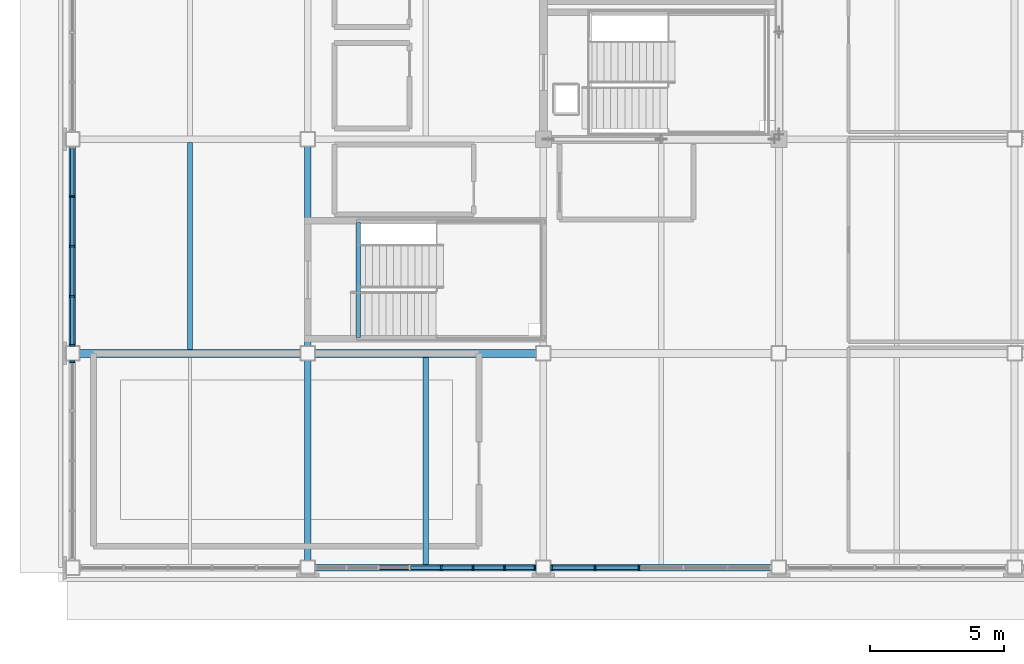
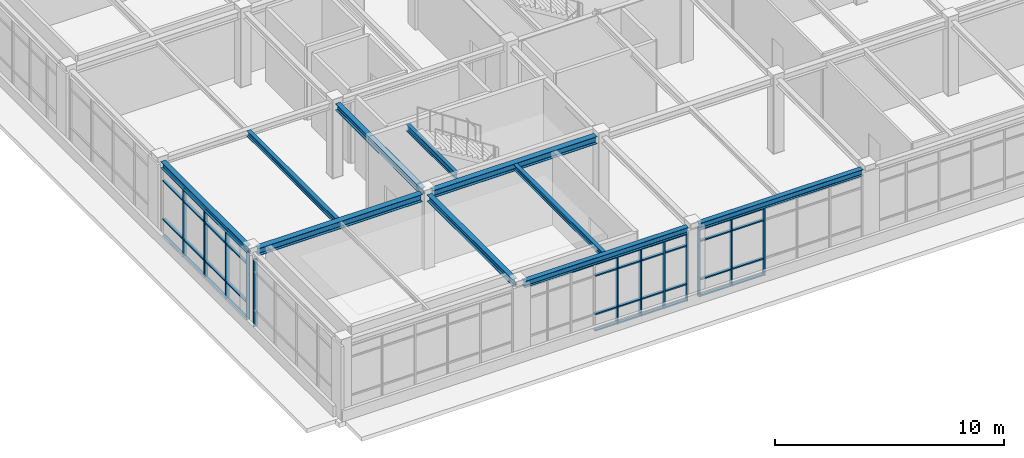
# One storey, part 7 of 64: 53 members, 10 beams, 4 elements without a shape of their own.
"""IFC4 building model written with IfcOpenShell, lengths in metres."""

from ifc_helpers import new_model, si_unit, direction, frame, origin, origin_2d, place, context, subcontext, project, spatial, rectangle, i_section, extrude, material, material_profile, profile_set, type_object, element, aggregate, save


model = new_model("IFC4")

# Units and contexts
model_context = context("Model", 3, precision=1e-05, world=origin(), true_north=direction((0.0, 1.0)))
body_context = subcontext(model_context, "Body", "Model", "MODEL_VIEW")
ifc_project = project(units=[si_unit("LENGTHUNIT", "METRE"), si_unit("AREAUNIT", "SQUARE_METRE"), si_unit("VOLUMEUNIT", "CUBIC_METRE"), si_unit("PLANEANGLEUNIT", "RADIAN"), si_unit("MASSUNIT", "GRAM", prefix="KILO")], contexts=[model_context])

# Site, building, storey
site_placement = place(None, origin())
site = spatial("IfcSite", under=ifc_project, at=site_placement, CompositionType="ELEMENT")
building_placement = place(site_placement, origin())
building = spatial("IfcBuilding", under=site, at=building_placement, Name="Zhaolan Boulevard Law Courts", CompositionType="ELEMENT")
storey_placement = place(building_placement, frame((0.0, 0.0, 20.39990234375)))
storey = spatial("IfcBuildingStorey", under=building, at=storey_placement, Name="L04", CompositionType="ELEMENT", Elevation=20.39990234375)

# Curtain wall, members
ifc_material_1 = material(Name="Thermally broken aluminium and low-E glazing", Category="aluminium")
curtain_wall_type_1 = type_object("IfcCurtainWallType", Name="CURTAIN WALL M18", PredefinedType="USERDEFINED", material=ifc_material_1)
curtain_wall_1_placement = place(storey_placement, origin())
curtain_wall_1 = element("IfcCurtainWall", 1, at=curtain_wall_1_placement, inside=storey, type_object=curtain_wall_type_1, Name="Curtain Wall CW-L04-186", ObjectType="CURTAIN WALL", PredefinedType="USERDEFINED")
ifc_material_2 = material(Name="Fluorocarbon-coated aluminium 6063-T6", Category="aluminium")
ifc_material_profile_1 = material_profile(ifc_material_2, rectangle(XDim=0.179931640625, YDim=0.06494140625, at=origin_2d()), Name="AL65x180")
ifc_profile_set_1 = profile_set([ifc_material_profile_1], Name="Fluorocarbon-coated aluminium 6063-T6")
member_type_1 = type_object("IfcMemberType", Name="CWMULLION 65X180", PredefinedType="MULLION", material=ifc_profile_set_1)
member_1_placement = place(storey_placement, frame((13.7890625, 30.0, 0.0), z_axis=(0.0, 0.0, 1.0), x_axis=(0.0, 1.0, 0.0)))
member_1 = element("IfcMember", 2, at=member_1_placement, type_object=member_type_1, Name="CW-L04-186 mullion 5", PredefinedType="MULLION", context=body_context, shape_type="SweptSolid", body=[
    extrude(rectangle(XDim=0.179931640625, YDim=0.06494140625, at=origin_2d()), origin(), (0.0, 0.0, 1.0), 3.593017578125),
])
member_2_placement = place(storey_placement, frame((14.967041015625, 30.0, 0.0), z_axis=(0.0, 0.0, 1.0), x_axis=(0.0, 1.0, 0.0)))
member_2 = element("IfcMember", 3, at=member_2_placement, type_object=member_type_1, Name="CW-L04-186 mullion 6", PredefinedType="MULLION", context=body_context, shape_type="SweptSolid", body=[
    extrude(rectangle(XDim=0.179931640625, YDim=0.06494140625, at=origin_2d()), origin(), (0.0, 0.0, 1.0), 3.593017578125),
])
member_3_placement = place(storey_placement, frame((16.14501953125, 30.0, 0.0), z_axis=(0.0, 0.0, 1.0), x_axis=(0.0, 1.0, 0.0)))
member_3 = element("IfcMember", 4, at=member_3_placement, type_object=member_type_1, Name="CW-L04-186 mullion 7", PredefinedType="MULLION", context=body_context, shape_type="SweptSolid", body=[
    extrude(rectangle(XDim=0.179931640625, YDim=0.06494140625, at=origin_2d()), origin(), (0.0, 0.0, 1.0), 3.593017578125),
])
member_4_placement = place(storey_placement, frame((17.29052734375, 30.0, 0.0), z_axis=(0.0, 0.0, 1.0), x_axis=(0.0, 1.0, 0.0)))
member_4 = element("IfcMember", 5, at=member_4_placement, type_object=member_type_1, Name="CW-L04-186 mullion 8", PredefinedType="MULLION", context=body_context, shape_type="SweptSolid", body=[
    extrude(rectangle(XDim=0.179931640625, YDim=0.06494140625, at=origin_2d()), origin(), (0.0, 0.0, 1.0), 3.593017578125),
])

ifc_material_3 = material(Name="Thermally broken aluminium and low-E glazing", Category="aluminium")
curtain_wall_type_2 = type_object("IfcCurtainWallType", Name="CURTAIN WALL M19", PredefinedType="USERDEFINED", material=ifc_material_3)
curtain_wall_2_placement = place(storey_placement, origin())
curtain_wall_2 = element("IfcCurtainWall", 6, at=curtain_wall_2_placement, inside=storey, type_object=curtain_wall_type_2, Name="Curtain Wall CW-L04-187", ObjectType="CURTAIN WALL", PredefinedType="USERDEFINED")
member_5_placement = place(storey_placement, frame((17.909423828125, 30.0, 0.0), z_axis=(0.0, 0.0, 1.0), x_axis=(0.0, 1.0, 0.0)))
member_5 = element("IfcMember", 7, at=member_5_placement, type_object=member_type_1, Name="CW-L04-187 mullion 1", PredefinedType="MULLION", context=body_context, shape_type="SweptSolid", body=[
    extrude(rectangle(XDim=0.179931640625, YDim=0.06494140625, at=origin_2d()), origin(), (0.0, 0.0, 1.0), 3.593017578125),
])
member_6_placement = place(storey_placement, frame((19.526123046875, 30.0, 0.0), z_axis=(0.0, 0.0, 1.0), x_axis=(0.0, 1.0, 0.0)))
member_6 = element("IfcMember", 8, at=member_6_placement, type_object=member_type_1, Name="CW-L04-187 mullion 2", PredefinedType="MULLION", context=body_context, shape_type="SweptSolid", body=[
    extrude(rectangle(XDim=0.179931640625, YDim=0.06494140625, at=origin_2d()), origin(), (0.0, 0.0, 1.0), 3.593017578125),
])
member_7_placement = place(storey_placement, frame((21.17529296875, 30.0, 0.0), z_axis=(0.0, 0.0, 1.0), x_axis=(0.0, 1.0, 0.0)))
member_7 = element("IfcMember", 9, at=member_7_placement, type_object=member_type_1, Name="CW-L04-187 mullion 3", PredefinedType="MULLION", context=body_context, shape_type="SweptSolid", body=[
    extrude(rectangle(XDim=0.179931640625, YDim=0.06494140625, at=origin_2d()), origin(), (0.0, 0.0, 1.0), 3.593017578125),
])

# Curtain wall, member
ifc_material_4 = material(Name="Thermally broken aluminium and low-E glazing", Category="aluminium")
curtain_wall_type_3 = type_object("IfcCurtainWallType", Name="CURTAIN WALL M22", PredefinedType="USERDEFINED", material=ifc_material_4)
curtain_wall_3_placement = place(storey_placement, origin())
curtain_wall_3 = element("IfcCurtainWall", 10, at=curtain_wall_3_placement, inside=storey, type_object=curtain_wall_type_3, Name="Curtain Wall CW-L04-190", ObjectType="CURTAIN WALL", PredefinedType="USERDEFINED")
member_8_placement = place(storey_placement, frame((0.0, 37.6904296875, 0.0), z_axis=(0.0, 0.0, 1.0), x_axis=(1.0, 0.0, 0.0)))
member_8 = element("IfcMember", 11, at=member_8_placement, type_object=member_type_1, Name="CW-L04-190 mullion 1", PredefinedType="MULLION", context=body_context, shape_type="SweptSolid", body=[
    extrude(rectangle(XDim=0.179931640625, YDim=0.06494140625, at=origin_2d()), origin(), (0.0, 0.0, 1.0), 3.593017578125),
])
aggregate(curtain_wall_3, [member_8])

# Curtain wall, members
ifc_material_5 = material(Name="Thermally broken aluminium and low-E glazing", Category="aluminium")
curtain_wall_type_4 = type_object("IfcCurtainWallType", Name="CURTAIN WALL M23", PredefinedType="USERDEFINED", material=ifc_material_5)
curtain_wall_4_placement = place(storey_placement, origin())
curtain_wall_4 = element("IfcCurtainWall", 12, at=curtain_wall_4_placement, inside=storey, type_object=curtain_wall_type_4, Name="Curtain Wall CW-L04-191", ObjectType="CURTAIN WALL", PredefinedType="USERDEFINED")
member_9_placement = place(storey_placement, frame((0.0, 43.861572265625, 0.0), z_axis=(0.0, 0.0, 1.0), x_axis=(1.0, 0.0, 0.0)))
member_9 = element("IfcMember", 13, at=member_9_placement, type_object=member_type_1, Name="CW-L04-191 mullion 2", PredefinedType="MULLION", context=body_context, shape_type="SweptSolid", body=[
    extrude(rectangle(XDim=0.179931640625, YDim=0.06494140625, at=origin_2d()), origin(), (0.0, 0.0, 1.0), 3.593017578125),
])
member_10_placement = place(storey_placement, frame((0.0, 42.0, 0.0), z_axis=(0.0, 0.0, 1.0), x_axis=(1.0, 0.0, 0.0)))
member_10 = element("IfcMember", 14, at=member_10_placement, type_object=member_type_1, Name="CW-L04-191 mullion 3", PredefinedType="MULLION", context=body_context, shape_type="SweptSolid", body=[
    extrude(rectangle(XDim=0.179931640625, YDim=0.06494140625, at=origin_2d()), origin(), (0.0, 0.0, 1.0), 3.593017578125),
])
member_11_placement = place(storey_placement, frame((0.0, 40.138427734375, 0.0), z_axis=(0.0, 0.0, 1.0), x_axis=(1.0, 0.0, 0.0)))
member_11 = element("IfcMember", 15, at=member_11_placement, type_object=member_type_1, Name="CW-L04-191 mullion 4", PredefinedType="MULLION", context=body_context, shape_type="SweptSolid", body=[
    extrude(rectangle(XDim=0.179931640625, YDim=0.06494140625, at=origin_2d()), origin(), (0.0, 0.0, 1.0), 3.593017578125),
])
member_12_placement = place(storey_placement, frame((0.0, 38.3095703125, 0.0), z_axis=(0.0, 0.0, 1.0), x_axis=(1.0, 0.0, 0.0)))
member_12 = element("IfcMember", 16, at=member_12_placement, type_object=member_type_1, Name="CW-L04-191 mullion 5", PredefinedType="MULLION", context=body_context, shape_type="SweptSolid", body=[
    extrude(rectangle(XDim=0.179931640625, YDim=0.06494140625, at=origin_2d()), origin(), (0.0, 0.0, 1.0), 3.593017578125),
])

# Member
ifc_material_6 = material(Name="Fluorocarbon-coated aluminium 6063-T6", Category="aluminium")
ifc_material_profile_2 = material_profile(ifc_material_6, rectangle(XDim=0.139892578125, YDim=0.06494140625, at=origin_2d()), Name="AL65x140")
ifc_profile_set_2 = profile_set([ifc_material_profile_2], Name="Fluorocarbon-coated aluminium 6063-T6")
member_type_2 = type_object("IfcMemberType", Name="CWTRANSOM 65X140", PredefinedType="USERDEFINED", material=ifc_profile_set_2)
member_13_placement = place(storey_placement, frame((11.465576171875, 30.0, 3.560546875), z_axis=(1.0, 0.0, 0.0), x_axis=(0.0, 1.0, 0.0)))
member_13 = element("IfcMember", 17, at=member_13_placement, type_object=member_type_2, Name="CW-L04-186 transom 3.4", ObjectType="TRANSOM", PredefinedType="USERDEFINED", context=body_context, shape_type="SweptSolid", body=[
    extrude(rectangle(XDim=0.139892578125, YDim=0.06494140625, at=origin_2d()), origin(), (0.0, 0.0, 1.0), 1.113037109375),
])

member_14_placement = place(storey_placement, frame((12.6435546875, 30.0, 0.03271484375), z_axis=(1.0, 0.0, 0.0), x_axis=(0.0, 1.0, 0.0)))
member_14 = element("IfcMember", 18, at=member_14_placement, type_object=member_type_2, Name="CW-L04-186 transom 4.1", ObjectType="TRANSOM", PredefinedType="USERDEFINED", context=body_context, shape_type="SweptSolid", body=[
    extrude(rectangle(XDim=0.139892578125, YDim=0.06494140625, at=origin_2d()), origin(), (0.0, 0.0, 1.0), 1.113037109375),
])

member_15_placement = place(storey_placement, frame((12.6435546875, 30.0, 0.900146484375), z_axis=(1.0, 0.0, 0.0), x_axis=(0.0, 1.0, 0.0)))
member_15 = element("IfcMember", 19, at=member_15_placement, type_object=member_type_2, Name="CW-L04-186 transom 4.2", ObjectType="TRANSOM", PredefinedType="USERDEFINED", context=body_context, shape_type="SweptSolid", body=[
    extrude(rectangle(XDim=0.139892578125, YDim=0.06494140625, at=origin_2d()), origin(), (0.0, 0.0, 1.0), 1.113037109375),
])

member_16_placement = place(storey_placement, frame((12.6435546875, 30.0, 2.943115234375), z_axis=(1.0, 0.0, 0.0), x_axis=(0.0, 1.0, 0.0)))
member_16 = element("IfcMember", 20, at=member_16_placement, type_object=member_type_2, Name="CW-L04-186 transom 4.3", ObjectType="TRANSOM", PredefinedType="USERDEFINED", context=body_context, shape_type="SweptSolid", body=[
    extrude(rectangle(XDim=0.139892578125, YDim=0.06494140625, at=origin_2d()), origin(), (0.0, 0.0, 1.0), 1.113037109375),
])

member_17_placement = place(storey_placement, frame((12.6435546875, 30.0, 3.560546875), z_axis=(1.0, 0.0, 0.0), x_axis=(0.0, 1.0, 0.0)))
member_17 = element("IfcMember", 21, at=member_17_placement, type_object=member_type_2, Name="CW-L04-186 transom 4.4", ObjectType="TRANSOM", PredefinedType="USERDEFINED", context=body_context, shape_type="SweptSolid", body=[
    extrude(rectangle(XDim=0.139892578125, YDim=0.06494140625, at=origin_2d()), origin(), (0.0, 0.0, 1.0), 1.113037109375),
])

member_18_placement = place(storey_placement, frame((13.821533203125, 30.0, 0.03271484375), z_axis=(1.0, 0.0, 0.0), x_axis=(0.0, 1.0, 0.0)))
member_18 = element("IfcMember", 22, at=member_18_placement, type_object=member_type_2, Name="CW-L04-186 transom 5.1", ObjectType="TRANSOM", PredefinedType="USERDEFINED", context=body_context, shape_type="SweptSolid", body=[
    extrude(rectangle(XDim=0.139892578125, YDim=0.06494140625, at=origin_2d()), origin(), (0.0, 0.0, 1.0), 1.113037109375),
])

member_19_placement = place(storey_placement, frame((13.821533203125, 30.0, 0.900146484375), z_axis=(1.0, 0.0, 0.0), x_axis=(0.0, 1.0, 0.0)))
member_19 = element("IfcMember", 23, at=member_19_placement, type_object=member_type_2, Name="CW-L04-186 transom 5.2", ObjectType="TRANSOM", PredefinedType="USERDEFINED", context=body_context, shape_type="SweptSolid", body=[
    extrude(rectangle(XDim=0.139892578125, YDim=0.06494140625, at=origin_2d()), origin(), (0.0, 0.0, 1.0), 1.113037109375),
])

member_20_placement = place(storey_placement, frame((13.821533203125, 30.0, 2.943115234375), z_axis=(1.0, 0.0, 0.0), x_axis=(0.0, 1.0, 0.0)))
member_20 = element("IfcMember", 24, at=member_20_placement, type_object=member_type_2, Name="CW-L04-186 transom 5.3", ObjectType="TRANSOM", PredefinedType="USERDEFINED", context=body_context, shape_type="SweptSolid", body=[
    extrude(rectangle(XDim=0.139892578125, YDim=0.06494140625, at=origin_2d()), origin(), (0.0, 0.0, 1.0), 1.113037109375),
])

member_21_placement = place(storey_placement, frame((13.821533203125, 30.0, 3.560546875), z_axis=(1.0, 0.0, 0.0), x_axis=(0.0, 1.0, 0.0)))
member_21 = element("IfcMember", 25, at=member_21_placement, type_object=member_type_2, Name="CW-L04-186 transom 5.4", ObjectType="TRANSOM", PredefinedType="USERDEFINED", context=body_context, shape_type="SweptSolid", body=[
    extrude(rectangle(XDim=0.139892578125, YDim=0.06494140625, at=origin_2d()), origin(), (0.0, 0.0, 1.0), 1.113037109375),
])

member_22_placement = place(storey_placement, frame((14.99951171875, 30.0, 0.03271484375), z_axis=(1.0, 0.0, 0.0), x_axis=(0.0, 1.0, 0.0)))
member_22 = element("IfcMember", 26, at=member_22_placement, type_object=member_type_2, Name="CW-L04-186 transom 6.1", ObjectType="TRANSOM", PredefinedType="USERDEFINED", context=body_context, shape_type="SweptSolid", body=[
    extrude(rectangle(XDim=0.139892578125, YDim=0.06494140625, at=origin_2d()), origin(), (0.0, 0.0, 1.0), 1.113037109375),
])

member_23_placement = place(storey_placement, frame((14.99951171875, 30.0, 0.900146484375), z_axis=(1.0, 0.0, 0.0), x_axis=(0.0, 1.0, 0.0)))
member_23 = element("IfcMember", 27, at=member_23_placement, type_object=member_type_2, Name="CW-L04-186 transom 6.2", ObjectType="TRANSOM", PredefinedType="USERDEFINED", context=body_context, shape_type="SweptSolid", body=[
    extrude(rectangle(XDim=0.139892578125, YDim=0.06494140625, at=origin_2d()), origin(), (0.0, 0.0, 1.0), 1.113037109375),
])

member_24_placement = place(storey_placement, frame((14.99951171875, 30.0, 2.943115234375), z_axis=(1.0, 0.0, 0.0), x_axis=(0.0, 1.0, 0.0)))
member_24 = element("IfcMember", 28, at=member_24_placement, type_object=member_type_2, Name="CW-L04-186 transom 6.3", ObjectType="TRANSOM", PredefinedType="USERDEFINED", context=body_context, shape_type="SweptSolid", body=[
    extrude(rectangle(XDim=0.139892578125, YDim=0.06494140625, at=origin_2d()), origin(), (0.0, 0.0, 1.0), 1.113037109375),
])

member_25_placement = place(storey_placement, frame((14.99951171875, 30.0, 3.560546875), z_axis=(1.0, 0.0, 0.0), x_axis=(0.0, 1.0, 0.0)))
member_25 = element("IfcMember", 29, at=member_25_placement, type_object=member_type_2, Name="CW-L04-186 transom 6.4", ObjectType="TRANSOM", PredefinedType="USERDEFINED", context=body_context, shape_type="SweptSolid", body=[
    extrude(rectangle(XDim=0.139892578125, YDim=0.06494140625, at=origin_2d()), origin(), (0.0, 0.0, 1.0), 1.113037109375),
])

member_26_placement = place(storey_placement, frame((16.177490234375, 30.0, 0.03271484375), z_axis=(1.0, 0.0, 0.0), x_axis=(0.0, 1.0, 0.0)))
member_26 = element("IfcMember", 30, at=member_26_placement, type_object=member_type_2, Name="CW-L04-186 transom 7.1", ObjectType="TRANSOM", PredefinedType="USERDEFINED", context=body_context, shape_type="SweptSolid", body=[
    extrude(rectangle(XDim=0.139892578125, YDim=0.06494140625, at=origin_2d()), origin(), (0.0, 0.0, 1.0), 1.08056640625),
])

member_27_placement = place(storey_placement, frame((16.177490234375, 30.0, 0.900146484375), z_axis=(1.0, 0.0, 0.0), x_axis=(0.0, 1.0, 0.0)))
member_27 = element("IfcMember", 31, at=member_27_placement, type_object=member_type_2, Name="CW-L04-186 transom 7.2", ObjectType="TRANSOM", PredefinedType="USERDEFINED", context=body_context, shape_type="SweptSolid", body=[
    extrude(rectangle(XDim=0.139892578125, YDim=0.06494140625, at=origin_2d()), origin(), (0.0, 0.0, 1.0), 1.08056640625),
])

member_28_placement = place(storey_placement, frame((16.177490234375, 30.0, 2.943115234375), z_axis=(1.0, 0.0, 0.0), x_axis=(0.0, 1.0, 0.0)))
member_28 = element("IfcMember", 32, at=member_28_placement, type_object=member_type_2, Name="CW-L04-186 transom 7.3", ObjectType="TRANSOM", PredefinedType="USERDEFINED", context=body_context, shape_type="SweptSolid", body=[
    extrude(rectangle(XDim=0.139892578125, YDim=0.06494140625, at=origin_2d()), origin(), (0.0, 0.0, 1.0), 1.08056640625),
])

member_29_placement = place(storey_placement, frame((16.177490234375, 30.0, 3.560546875), z_axis=(1.0, 0.0, 0.0), x_axis=(0.0, 1.0, 0.0)))
member_29 = element("IfcMember", 33, at=member_29_placement, type_object=member_type_2, Name="CW-L04-186 transom 7.4", ObjectType="TRANSOM", PredefinedType="USERDEFINED", context=body_context, shape_type="SweptSolid", body=[
    extrude(rectangle(XDim=0.139892578125, YDim=0.06494140625, at=origin_2d()), origin(), (0.0, 0.0, 1.0), 1.08056640625),
])

aggregate(curtain_wall_1, [member_1, member_2, member_3, member_4, member_13, member_14, member_15, member_16, member_17, member_18, member_19, member_20, member_21, member_22, member_23, member_24, member_25, member_26, member_27, member_28, member_29])

member_30_placement = place(storey_placement, frame((17.94189453125, 30.0, 0.03271484375), z_axis=(1.0, 0.0, 0.0), x_axis=(0.0, 1.0, 0.0)))
member_30 = element("IfcMember", 34, at=member_30_placement, type_object=member_type_2, Name="CW-L04-187 transom 1.1", ObjectType="TRANSOM", PredefinedType="USERDEFINED", context=body_context, shape_type="SweptSolid", body=[
    extrude(rectangle(XDim=0.139892578125, YDim=0.06494140625, at=origin_2d()), origin(), (0.0, 0.0, 1.0), 1.5517578125),
])

member_31_placement = place(storey_placement, frame((17.94189453125, 30.0, 0.900146484375), z_axis=(1.0, 0.0, 0.0), x_axis=(0.0, 1.0, 0.0)))
member_31 = element("IfcMember", 35, at=member_31_placement, type_object=member_type_2, Name="CW-L04-187 transom 1.2", ObjectType="TRANSOM", PredefinedType="USERDEFINED", context=body_context, shape_type="SweptSolid", body=[
    extrude(rectangle(XDim=0.139892578125, YDim=0.06494140625, at=origin_2d()), origin(), (0.0, 0.0, 1.0), 1.5517578125),
])

member_32_placement = place(storey_placement, frame((17.94189453125, 30.0, 2.943115234375), z_axis=(1.0, 0.0, 0.0), x_axis=(0.0, 1.0, 0.0)))
member_32 = element("IfcMember", 36, at=member_32_placement, type_object=member_type_2, Name="CW-L04-187 transom 1.3", ObjectType="TRANSOM", PredefinedType="USERDEFINED", context=body_context, shape_type="SweptSolid", body=[
    extrude(rectangle(XDim=0.139892578125, YDim=0.06494140625, at=origin_2d()), origin(), (0.0, 0.0, 1.0), 1.5517578125),
])

member_33_placement = place(storey_placement, frame((17.94189453125, 30.0, 3.560546875), z_axis=(1.0, 0.0, 0.0), x_axis=(0.0, 1.0, 0.0)))
member_33 = element("IfcMember", 37, at=member_33_placement, type_object=member_type_2, Name="CW-L04-187 transom 1.4", ObjectType="TRANSOM", PredefinedType="USERDEFINED", context=body_context, shape_type="SweptSolid", body=[
    extrude(rectangle(XDim=0.139892578125, YDim=0.06494140625, at=origin_2d()), origin(), (0.0, 0.0, 1.0), 1.5517578125),
])

member_34_placement = place(storey_placement, frame((19.55859375, 30.0, 0.03271484375), z_axis=(1.0, 0.0, 0.0), x_axis=(0.0, 1.0, 0.0)))
member_34 = element("IfcMember", 38, at=member_34_placement, type_object=member_type_2, Name="CW-L04-187 transom 2.1", ObjectType="TRANSOM", PredefinedType="USERDEFINED", context=body_context, shape_type="SweptSolid", body=[
    extrude(rectangle(XDim=0.139892578125, YDim=0.06494140625, at=origin_2d()), origin(), (0.0, 0.0, 1.0), 1.584228515625),
])

member_35_placement = place(storey_placement, frame((19.55859375, 30.0, 0.900146484375), z_axis=(1.0, 0.0, 0.0), x_axis=(0.0, 1.0, 0.0)))
member_35 = element("IfcMember", 39, at=member_35_placement, type_object=member_type_2, Name="CW-L04-187 transom 2.2", ObjectType="TRANSOM", PredefinedType="USERDEFINED", context=body_context, shape_type="SweptSolid", body=[
    extrude(rectangle(XDim=0.139892578125, YDim=0.06494140625, at=origin_2d()), origin(), (0.0, 0.0, 1.0), 1.584228515625),
])

member_36_placement = place(storey_placement, frame((19.55859375, 30.0, 2.943115234375), z_axis=(1.0, 0.0, 0.0), x_axis=(0.0, 1.0, 0.0)))
member_36 = element("IfcMember", 40, at=member_36_placement, type_object=member_type_2, Name="CW-L04-187 transom 2.3", ObjectType="TRANSOM", PredefinedType="USERDEFINED", context=body_context, shape_type="SweptSolid", body=[
    extrude(rectangle(XDim=0.139892578125, YDim=0.06494140625, at=origin_2d()), origin(), (0.0, 0.0, 1.0), 1.584228515625),
])

member_37_placement = place(storey_placement, frame((19.55859375, 30.0, 3.560546875), z_axis=(1.0, 0.0, 0.0), x_axis=(0.0, 1.0, 0.0)))
member_37 = element("IfcMember", 41, at=member_37_placement, type_object=member_type_2, Name="CW-L04-187 transom 2.4", ObjectType="TRANSOM", PredefinedType="USERDEFINED", context=body_context, shape_type="SweptSolid", body=[
    extrude(rectangle(XDim=0.139892578125, YDim=0.06494140625, at=origin_2d()), origin(), (0.0, 0.0, 1.0), 1.584228515625),
])

aggregate(curtain_wall_2, [member_5, member_6, member_7, member_30, member_31, member_32, member_33, member_34, member_35, member_36, member_37])

member_38_placement = place(storey_placement, frame((0.0, 45.657958984375, 0.03271484375), z_axis=(0.0, -1.0, 0.0), x_axis=(1.0, 0.0, 0.0)))
member_38 = element("IfcMember", 42, at=member_38_placement, type_object=member_type_2, Name="CW-L04-191 transom 1.1", ObjectType="TRANSOM", PredefinedType="USERDEFINED", context=body_context, shape_type="SweptSolid", body=[
    extrude(rectangle(XDim=0.139892578125, YDim=0.06494140625, at=origin_2d()), origin(), (0.0, 0.0, 1.0), 1.763916015625),
])

member_39_placement = place(storey_placement, frame((0.0, 45.657958984375, 0.900146484375), z_axis=(0.0, -1.0, 0.0), x_axis=(1.0, 0.0, 0.0)))
member_39 = element("IfcMember", 43, at=member_39_placement, type_object=member_type_2, Name="CW-L04-191 transom 1.2", ObjectType="TRANSOM", PredefinedType="USERDEFINED", context=body_context, shape_type="SweptSolid", body=[
    extrude(rectangle(XDim=0.139892578125, YDim=0.06494140625, at=origin_2d()), origin(), (0.0, 0.0, 1.0), 1.763916015625),
])

member_40_placement = place(storey_placement, frame((0.0, 45.657958984375, 2.943115234375), z_axis=(0.0, -1.0, 0.0), x_axis=(1.0, 0.0, 0.0)))
member_40 = element("IfcMember", 44, at=member_40_placement, type_object=member_type_2, Name="CW-L04-191 transom 1.3", ObjectType="TRANSOM", PredefinedType="USERDEFINED", context=body_context, shape_type="SweptSolid", body=[
    extrude(rectangle(XDim=0.139892578125, YDim=0.06494140625, at=origin_2d()), origin(), (0.0, 0.0, 1.0), 1.763916015625),
])

member_41_placement = place(storey_placement, frame((0.0, 45.657958984375, 3.560546875), z_axis=(0.0, -1.0, 0.0), x_axis=(1.0, 0.0, 0.0)))
member_41 = element("IfcMember", 45, at=member_41_placement, type_object=member_type_2, Name="CW-L04-191 transom 1.4", ObjectType="TRANSOM", PredefinedType="USERDEFINED", context=body_context, shape_type="SweptSolid", body=[
    extrude(rectangle(XDim=0.139892578125, YDim=0.06494140625, at=origin_2d()), origin(), (0.0, 0.0, 1.0), 1.763916015625),
])

member_42_placement = place(storey_placement, frame((0.0, 43.8291015625, 0.03271484375), z_axis=(0.0, -1.0, 0.0), x_axis=(1.0, 0.0, 0.0)))
member_42 = element("IfcMember", 46, at=member_42_placement, type_object=member_type_2, Name="CW-L04-191 transom 2.1", ObjectType="TRANSOM", PredefinedType="USERDEFINED", context=body_context, shape_type="SweptSolid", body=[
    extrude(rectangle(XDim=0.139892578125, YDim=0.06494140625, at=origin_2d()), origin(), (0.0, 0.0, 1.0), 1.796630859375),
])

member_43_placement = place(storey_placement, frame((0.0, 43.8291015625, 0.900146484375), z_axis=(0.0, -1.0, 0.0), x_axis=(1.0, 0.0, 0.0)))
member_43 = element("IfcMember", 47, at=member_43_placement, type_object=member_type_2, Name="CW-L04-191 transom 2.2", ObjectType="TRANSOM", PredefinedType="USERDEFINED", context=body_context, shape_type="SweptSolid", body=[
    extrude(rectangle(XDim=0.139892578125, YDim=0.06494140625, at=origin_2d()), origin(), (0.0, 0.0, 1.0), 1.796630859375),
])

member_44_placement = place(storey_placement, frame((0.0, 43.8291015625, 2.943115234375), z_axis=(0.0, -1.0, 0.0), x_axis=(1.0, 0.0, 0.0)))
member_44 = element("IfcMember", 48, at=member_44_placement, type_object=member_type_2, Name="CW-L04-191 transom 2.3", ObjectType="TRANSOM", PredefinedType="USERDEFINED", context=body_context, shape_type="SweptSolid", body=[
    extrude(rectangle(XDim=0.139892578125, YDim=0.06494140625, at=origin_2d()), origin(), (0.0, 0.0, 1.0), 1.796630859375),
])

member_45_placement = place(storey_placement, frame((0.0, 43.8291015625, 3.560546875), z_axis=(0.0, -1.0, 0.0), x_axis=(1.0, 0.0, 0.0)))
member_45 = element("IfcMember", 49, at=member_45_placement, type_object=member_type_2, Name="CW-L04-191 transom 2.4", ObjectType="TRANSOM", PredefinedType="USERDEFINED", context=body_context, shape_type="SweptSolid", body=[
    extrude(rectangle(XDim=0.139892578125, YDim=0.06494140625, at=origin_2d()), origin(), (0.0, 0.0, 1.0), 1.796630859375),
])

member_46_placement = place(storey_placement, frame((0.0, 41.967529296875, 0.03271484375), z_axis=(0.0, -1.0, 0.0), x_axis=(1.0, 0.0, 0.0)))
member_46 = element("IfcMember", 50, at=member_46_placement, type_object=member_type_2, Name="CW-L04-191 transom 3.1", ObjectType="TRANSOM", PredefinedType="USERDEFINED", context=body_context, shape_type="SweptSolid", body=[
    extrude(rectangle(XDim=0.139892578125, YDim=0.06494140625, at=origin_2d()), origin(), (0.0, 0.0, 1.0), 1.796630859375),
])

member_47_placement = place(storey_placement, frame((0.0, 41.967529296875, 0.900146484375), z_axis=(0.0, -1.0, 0.0), x_axis=(1.0, 0.0, 0.0)))
member_47 = element("IfcMember", 51, at=member_47_placement, type_object=member_type_2, Name="CW-L04-191 transom 3.2", ObjectType="TRANSOM", PredefinedType="USERDEFINED", context=body_context, shape_type="SweptSolid", body=[
    extrude(rectangle(XDim=0.139892578125, YDim=0.06494140625, at=origin_2d()), origin(), (0.0, 0.0, 1.0), 1.796630859375),
])

member_48_placement = place(storey_placement, frame((0.0, 41.967529296875, 2.943115234375), z_axis=(0.0, -1.0, 0.0), x_axis=(1.0, 0.0, 0.0)))
member_48 = element("IfcMember", 52, at=member_48_placement, type_object=member_type_2, Name="CW-L04-191 transom 3.3", ObjectType="TRANSOM", PredefinedType="USERDEFINED", context=body_context, shape_type="SweptSolid", body=[
    extrude(rectangle(XDim=0.139892578125, YDim=0.06494140625, at=origin_2d()), origin(), (0.0, 0.0, 1.0), 1.796630859375),
])

member_49_placement = place(storey_placement, frame((0.0, 41.967529296875, 3.560546875), z_axis=(0.0, -1.0, 0.0), x_axis=(1.0, 0.0, 0.0)))
member_49 = element("IfcMember", 53, at=member_49_placement, type_object=member_type_2, Name="CW-L04-191 transom 3.4", ObjectType="TRANSOM", PredefinedType="USERDEFINED", context=body_context, shape_type="SweptSolid", body=[
    extrude(rectangle(XDim=0.139892578125, YDim=0.06494140625, at=origin_2d()), origin(), (0.0, 0.0, 1.0), 1.796630859375),
])

member_50_placement = place(storey_placement, frame((0.0, 40.10595703125, 0.03271484375), z_axis=(0.0, -1.0, 0.0), x_axis=(1.0, 0.0, 0.0)))
member_50 = element("IfcMember", 54, at=member_50_placement, type_object=member_type_2, Name="CW-L04-191 transom 4.1", ObjectType="TRANSOM", PredefinedType="USERDEFINED", context=body_context, shape_type="SweptSolid", body=[
    extrude(rectangle(XDim=0.139892578125, YDim=0.06494140625, at=origin_2d()), origin(), (0.0, 0.0, 1.0), 1.763916015625),
])

member_51_placement = place(storey_placement, frame((0.0, 40.10595703125, 0.900146484375), z_axis=(0.0, -1.0, 0.0), x_axis=(1.0, 0.0, 0.0)))
member_51 = element("IfcMember", 55, at=member_51_placement, type_object=member_type_2, Name="CW-L04-191 transom 4.2", ObjectType="TRANSOM", PredefinedType="USERDEFINED", context=body_context, shape_type="SweptSolid", body=[
    extrude(rectangle(XDim=0.139892578125, YDim=0.06494140625, at=origin_2d()), origin(), (0.0, 0.0, 1.0), 1.763916015625),
])

member_52_placement = place(storey_placement, frame((0.0, 40.10595703125, 2.943115234375), z_axis=(0.0, -1.0, 0.0), x_axis=(1.0, 0.0, 0.0)))
member_52 = element("IfcMember", 56, at=member_52_placement, type_object=member_type_2, Name="CW-L04-191 transom 4.3", ObjectType="TRANSOM", PredefinedType="USERDEFINED", context=body_context, shape_type="SweptSolid", body=[
    extrude(rectangle(XDim=0.139892578125, YDim=0.06494140625, at=origin_2d()), origin(), (0.0, 0.0, 1.0), 1.763916015625),
])

member_53_placement = place(storey_placement, frame((0.0, 40.10595703125, 3.560546875), z_axis=(0.0, -1.0, 0.0), x_axis=(1.0, 0.0, 0.0)))
member_53 = element("IfcMember", 57, at=member_53_placement, type_object=member_type_2, Name="CW-L04-191 transom 4.4", ObjectType="TRANSOM", PredefinedType="USERDEFINED", context=body_context, shape_type="SweptSolid", body=[
    extrude(rectangle(XDim=0.139892578125, YDim=0.06494140625, at=origin_2d()), origin(), (0.0, 0.0, 1.0), 1.763916015625),
])

aggregate(curtain_wall_4, [member_9, member_10, member_11, member_12, member_38, member_39, member_40, member_41, member_42, member_43, member_44, member_45, member_46, member_47, member_48, member_49, member_50, member_51, member_52, member_53])

# Beams
ifc_material_7 = material(Name="Structural steel Q355B", Category="steel")
ifc_material_profile_3 = material_profile(ifc_material_7, i_section(OverallWidth=0.25, OverallDepth=0.340087890625, WebThickness=0.009033203125, FlangeThickness=0.013916015625, FilletRadius=0.01611328125, at=origin_2d()), Name="HM340x250")
ifc_profile_set_3 = profile_set([ifc_material_profile_3], Name="Structural steel Q355B")
beam_type_1 = type_object("IfcBeamType", Name="GIRDER HM340", PredefinedType="BEAM", material=ifc_profile_set_3)
for number, where, z_axis, x_axis, name in (
    (58, (0.0, 38.27099609375, 3.778076171875), (0.0, 1.0, 0.0), (-1.0, 0.0, 0.0), "Beam BY-L05-1-F-G"),
    (59, (8.800048828125, 30.27099609375, 3.778076171875), (0.0, 1.0, 0.0), (-1.0, 0.0, 0.0), "Beam BY-L05-2-E-F"),
    (60, (8.800048828125, 38.27099609375, 3.778076171875), (0.0, 1.0, 0.0), (-1.0, 0.0, 0.0), "Beam BY-L05-2-F-G"),
):
    element("IfcBeam", number, at=place(storey_placement, frame(where, z_axis=z_axis, x_axis=x_axis)), inside=storey, type_object=beam_type_1, Name=name, PredefinedType="BEAM", context=body_context, shape_type="SweptSolid", body=[
        extrude(i_section(OverallWidth=0.25, OverallDepth=0.340087890625, WebThickness=0.009033203125, FlangeThickness=0.013916015625, FilletRadius=0.01611328125, at=origin_2d()), origin(), (0.0, 0.0, 1.0), 7.4580078125),
    ])
ifc_material_8 = material(Name="Structural steel Q355B", Category="steel")
ifc_material_profile_4 = material_profile(ifc_material_8, i_section(OverallWidth=0.300048828125, OverallDepth=0.389892578125, WebThickness=0.010009765625, FlangeThickness=0.01611328125, FilletRadius=0.01806640625, at=origin_2d()), Name="HM390x300")
ifc_profile_set_4 = profile_set([ifc_material_profile_4], Name="Structural steel Q355B")
beam_type_2 = type_object("IfcBeamType", Name="GIRDER HM390", PredefinedType="BEAM", material=ifc_profile_set_4)
for number, where, z_axis, x_axis, name in (
    (61, (0.27099609375, 38.0, 3.753173828125), (1.0, 0.0, 0.0), (0.0, 1.0, 0.0), "Beam BX-L05-1-2-F"),
    (62, (9.071044921875, 38.0, 3.753173828125), (1.0, 0.0, 0.0), (0.0, 1.0, 0.0), "Beam BX-L05-2-3-F"),
):
    element("IfcBeam", number, at=place(storey_placement, frame(where, z_axis=z_axis, x_axis=x_axis)), inside=storey, type_object=beam_type_2, Name=name, PredefinedType="BEAM", context=body_context, shape_type="SweptSolid", body=[
        extrude(i_section(OverallWidth=0.300048828125, OverallDepth=0.389892578125, WebThickness=0.010009765625, FlangeThickness=0.01611328125, FilletRadius=0.01806640625, at=origin_2d()), origin(), (0.0, 0.0, 1.0), 8.258056640625),
    ])
ifc_material_9 = material(Name="Structural steel Q355B", Category="steel")
ifc_material_profile_5 = material_profile(ifc_material_9, i_section(OverallWidth=0.199951171875, OverallDepth=0.2939453125, WebThickness=0.008056640625, FlangeThickness=0.011962890625, FilletRadius=0.01611328125, at=origin_2d()), Name="HM294x200")
ifc_profile_set_5 = profile_set([ifc_material_profile_5], Name="Structural steel Q355B")
beam_type_3 = type_object("IfcBeamType", Name="JOIST HM294", PredefinedType="JOIST", material=ifc_profile_set_5)
for number, where, z_axis, x_axis, name in (
    (63, (4.39990234375, 38.14599609375, 3.801025390625), (0.0, 1.0, 0.0), (-1.0, 0.0, 0.0), "Composite Joist J-L05-1F"),
    (64, (13.199951171875, 30.12109375, 3.801025390625), (0.0, 1.0, 0.0), (-1.0, 0.0, 0.0), "Composite Joist J-L05-2E"),
):
    element("IfcBeam", number, at=place(storey_placement, frame(where, z_axis=z_axis, x_axis=x_axis)), inside=storey, type_object=beam_type_3, Name=name, PredefinedType="JOIST", context=body_context, shape_type="SweptSolid", body=[
        extrude(i_section(OverallWidth=0.199951171875, OverallDepth=0.2939453125, WebThickness=0.008056640625, FlangeThickness=0.011962890625, FilletRadius=0.01611328125, at=origin_2d()), origin(), (0.0, 0.0, 1.0), 7.73291015625),
    ])
ifc_material_10 = material(Name="Structural steel Q355B", Category="steel")
ifc_material_profile_6 = material_profile(ifc_material_10, i_section(OverallWidth=0.25, OverallDepth=0.340087890625, WebThickness=0.009033203125, FlangeThickness=0.013916015625, FilletRadius=0.01611328125, at=origin_2d()), Name="HM340x250")
ifc_profile_set_6 = profile_set([ifc_material_profile_6], Name="Structural steel Q355B")
beam_type_4 = type_object("IfcBeamType", Name="SPANDREL HM340", PredefinedType="SPANDREL", material=ifc_profile_set_6)
beam_1_placement = place(storey_placement, frame((9.071044921875, 30.0, 3.778076171875), z_axis=(1.0, 0.0, 0.0), x_axis=(0.0, 1.0, 0.0)))
element("IfcBeam", 65, at=beam_1_placement, inside=storey, type_object=beam_type_4, Name="Beam BX-L05-2-3-E", PredefinedType="SPANDREL", context=body_context, shape_type="SweptSolid", body=[
    extrude(i_section(OverallWidth=0.25, OverallDepth=0.340087890625, WebThickness=0.009033203125, FlangeThickness=0.013916015625, FilletRadius=0.01611328125, at=origin_2d()), origin(), (0.0, 0.0, 1.0), 8.258056640625),
])
beam_2_placement = place(storey_placement, frame((17.87109375, 30.0, 3.778076171875), z_axis=(1.0, 0.0, 0.0), x_axis=(0.0, 1.0, 0.0)))
element("IfcBeam", 66, at=beam_2_placement, inside=storey, type_object=beam_type_4, Name="Beam BX-L05-3-4-E", PredefinedType="SPANDREL", context=body_context, shape_type="SweptSolid", body=[
    extrude(i_section(OverallWidth=0.25, OverallDepth=0.340087890625, WebThickness=0.009033203125, FlangeThickness=0.013916015625, FilletRadius=0.01611328125, at=origin_2d()), origin(), (0.0, 0.0, 1.0), 8.2578125),
])
ifc_material_11 = material(Name="Structural steel Q355B", Category="steel")
ifc_material_profile_7 = material_profile(ifc_material_11, i_section(OverallWidth=0.175048828125, OverallDepth=0.35009765625, WebThickness=0.007080078125, FlangeThickness=0.010986328125, FilletRadius=0.012939453125, at=origin_2d()), Name="HN350x175")
ifc_profile_set_7 = profile_set([ifc_material_profile_7], Name="Structural steel Q355B")
beam_type_5 = type_object("IfcBeamType", Name="STAIR TRIMMER HN350", PredefinedType="BEAM", material=ifc_profile_set_7)
beam_3_placement = place(storey_placement, frame((10.68505859375, 38.60009765625, 3.735107421875), z_axis=(0.0, 1.0, 0.0), x_axis=(-1.0, 0.0, 0.0)))
element("IfcBeam", 67, at=beam_3_placement, inside=storey, type_object=beam_type_5, Name="Stair Landing Trimmer Beam STB-ST03-L05", PredefinedType="BEAM", context=body_context, shape_type="SweptSolid", body=[
    extrude(i_section(OverallWidth=0.175048828125, OverallDepth=0.35009765625, WebThickness=0.007080078125, FlangeThickness=0.010986328125, FilletRadius=0.012939453125, at=origin_2d()), origin(), (0.0, 0.0, 1.0), 4.2998046875),
])

save(model, "model.ifc")
